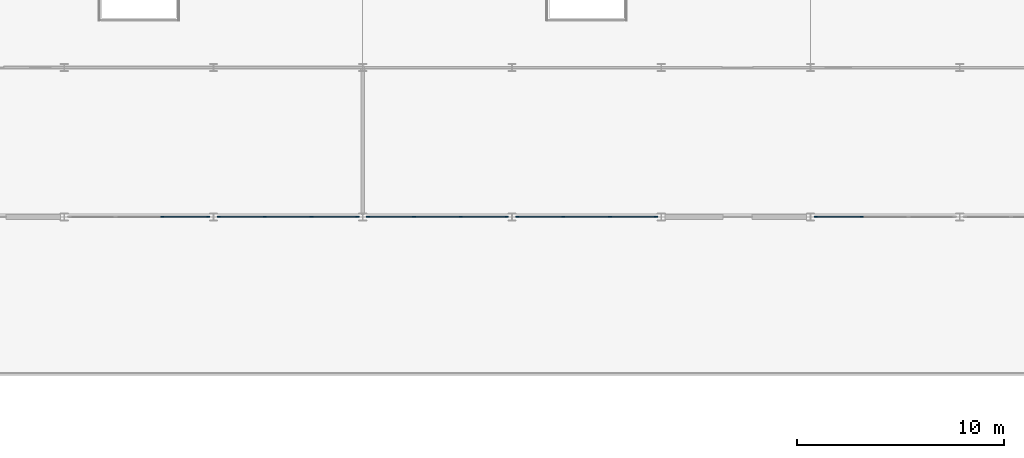
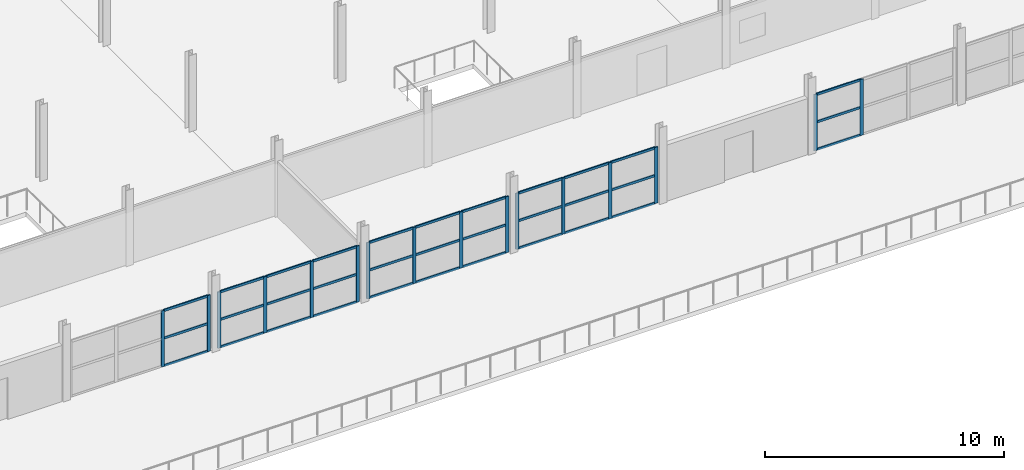
# One storey, part 15 of 40: 49 members, 5 elements without a shape of their own.
"""IFC4 building model written with IfcOpenShell, lengths in metres."""

from ifc_helpers import new_model, si_unit, direction, frame, origin, origin_2d, place, context, subcontext, project, spatial, rectangle, extrude, material, material_profile, profile_set, type_object, element, aggregate, save


model = new_model("IFC4")

# Units and contexts
model_context = context("Model", 3, precision=1e-05, world=origin(), true_north=direction((0.0, 1.0)))
body_context = subcontext(model_context, "Body", "Model", "MODEL_VIEW")
ifc_project = project(units=[si_unit("LENGTHUNIT", "METRE"), si_unit("AREAUNIT", "SQUARE_METRE"), si_unit("VOLUMEUNIT", "CUBIC_METRE"), si_unit("PLANEANGLEUNIT", "RADIAN"), si_unit("MASSUNIT", "GRAM", prefix="KILO")], contexts=[model_context])

# Site, building, storey
site_placement = place(None, origin())
site = spatial("IfcSite", under=ifc_project, at=site_placement, CompositionType="ELEMENT")
building_placement = place(site_placement, origin())
building = spatial("IfcBuilding", under=site, at=building_placement, Name="Vaelcorin Mobility Hub", CompositionType="ELEMENT")
storey_placement = place(building_placement, frame((0.0, 0.0, 17.10009765625)))
storey = spatial("IfcBuildingStorey", under=building, at=storey_placement, Name="L04", CompositionType="ELEMENT", Elevation=17.10009765625)

# Curtain wall, members
ifc_material = material(Name="Anodised aluminium 6063-T6", Category="aluminium")
curtain_wall_type = type_object("IfcCurtainWallType", Name="CW-MOB-A", PredefinedType="NOTDEFINED", material=ifc_material)
curtain_wall_1_placement = place(storey_placement, origin())
curtain_wall_1 = element("IfcCurtainWall", 1, at=curtain_wall_1_placement, inside=storey, type_object=curtain_wall_type, Name="L04 Curtain Wall CW-V4-L04-S-05", PredefinedType="NOTDEFINED")
ifc_material_profile_1 = material_profile(ifc_material, rectangle(XDim=0.06005859375, YDim=0.159912109375, at=origin_2d()), Name="ALU-M60X160")
ifc_profile_set_1 = profile_set([ifc_material_profile_1], Name="Anodised aluminium 6063-T6")
member_type_1 = type_object("IfcMemberType", Name="CW-MULL-160", PredefinedType="MULLION", material=ifc_profile_set_1)
member_1_placement = place(storey_placement, frame((71.75, 84.0, 0.0), z_axis=(0.0, 0.0, 1.0), x_axis=(0.0, -1.0, 0.0)))
member_1 = element("IfcMember", 2, at=member_1_placement, type_object=member_type_1, Name="CW7 mullion 1", PredefinedType="MULLION", context=body_context, shape_type="SweptSolid", body=[
    extrude(rectangle(XDim=0.06005859375, YDim=0.159912109375, at=origin_2d()), origin(), (0.0, 0.0, 1.0), 2.867919921875),
])
member_2_placement = place(storey_placement, frame((69.526611328125, 84.0, 0.0), z_axis=(0.0, 0.0, 1.0), x_axis=(0.0, -1.0, 0.0)))
member_2 = element("IfcMember", 3, at=member_2_placement, type_object=member_type_1, Name="CW7 mullion 2", PredefinedType="MULLION", context=body_context, shape_type="SweptSolid", body=[
    extrude(rectangle(XDim=0.06005859375, YDim=0.159912109375, at=origin_2d()), origin(), (0.0, 0.0, 1.0), 2.867919921875),
])

curtain_wall_2_placement = place(storey_placement, origin())
curtain_wall_2 = element("IfcCurtainWall", 4, at=curtain_wall_2_placement, inside=storey, type_object=curtain_wall_type, Name="L04 Curtain Wall CW-V4-L04-S-06", PredefinedType="NOTDEFINED")
member_3_placement = place(storey_placement, frame((78.949951171875, 84.0, 0.0), z_axis=(0.0, 0.0, 1.0), x_axis=(0.0, -1.0, 0.0)))
member_3 = element("IfcMember", 5, at=member_3_placement, type_object=member_type_1, Name="CW7 mullion 1", PredefinedType="MULLION", context=body_context, shape_type="SweptSolid", body=[
    extrude(rectangle(XDim=0.06005859375, YDim=0.159912109375, at=origin_2d()), origin(), (0.0, 0.0, 1.0), 2.867919921875),
])
member_4_placement = place(storey_placement, frame((76.7265625, 84.0, 0.0), z_axis=(0.0, 0.0, 1.0), x_axis=(0.0, -1.0, 0.0)))
member_4 = element("IfcMember", 6, at=member_4_placement, type_object=member_type_1, Name="CW7 mullion 2", PredefinedType="MULLION", context=body_context, shape_type="SweptSolid", body=[
    extrude(rectangle(XDim=0.06005859375, YDim=0.159912109375, at=origin_2d()), origin(), (0.0, 0.0, 1.0), 2.867919921875),
])
member_5_placement = place(storey_placement, frame((74.473388671875, 84.0, 0.0), z_axis=(0.0, 0.0, 1.0), x_axis=(0.0, -1.0, 0.0)))
member_5 = element("IfcMember", 7, at=member_5_placement, type_object=member_type_1, Name="CW7 mullion 3", PredefinedType="MULLION", context=body_context, shape_type="SweptSolid", body=[
    extrude(rectangle(XDim=0.06005859375, YDim=0.159912109375, at=origin_2d()), origin(), (0.0, 0.0, 1.0), 2.867919921875),
])
member_6_placement = place(storey_placement, frame((72.25, 84.0, 0.0), z_axis=(0.0, 0.0, 1.0), x_axis=(0.0, -1.0, 0.0)))
member_6 = element("IfcMember", 8, at=member_6_placement, type_object=member_type_1, Name="CW7 mullion 4", PredefinedType="MULLION", context=body_context, shape_type="SweptSolid", body=[
    extrude(rectangle(XDim=0.06005859375, YDim=0.159912109375, at=origin_2d()), origin(), (0.0, 0.0, 1.0), 2.867919921875),
])

curtain_wall_3_placement = place(storey_placement, origin())
curtain_wall_3 = element("IfcCurtainWall", 9, at=curtain_wall_3_placement, inside=storey, type_object=curtain_wall_type, Name="L04 Curtain Wall CW-V4-L04-S-07", PredefinedType="NOTDEFINED")
member_7_placement = place(storey_placement, frame((86.14990234375, 84.0, 0.0), z_axis=(0.0, 0.0, 1.0), x_axis=(0.0, -1.0, 0.0)))
member_7 = element("IfcMember", 10, at=member_7_placement, type_object=member_type_1, Name="CW7 mullion 1", PredefinedType="MULLION", context=body_context, shape_type="SweptSolid", body=[
    extrude(rectangle(XDim=0.06005859375, YDim=0.159912109375, at=origin_2d()), origin(), (0.0, 0.0, 1.0), 2.867919921875),
])
member_8_placement = place(storey_placement, frame((83.9267578125, 84.0, 0.0), z_axis=(0.0, 0.0, 1.0), x_axis=(0.0, -1.0, 0.0)))
member_8 = element("IfcMember", 11, at=member_8_placement, type_object=member_type_1, Name="CW7 mullion 2", PredefinedType="MULLION", context=body_context, shape_type="SweptSolid", body=[
    extrude(rectangle(XDim=0.06005859375, YDim=0.159912109375, at=origin_2d()), origin(), (0.0, 0.0, 1.0), 2.867919921875),
])
member_9_placement = place(storey_placement, frame((81.67333984375, 84.0, 0.0), z_axis=(0.0, 0.0, 1.0), x_axis=(0.0, -1.0, 0.0)))
member_9 = element("IfcMember", 12, at=member_9_placement, type_object=member_type_1, Name="CW7 mullion 3", PredefinedType="MULLION", context=body_context, shape_type="SweptSolid", body=[
    extrude(rectangle(XDim=0.06005859375, YDim=0.159912109375, at=origin_2d()), origin(), (0.0, 0.0, 1.0), 2.867919921875),
])
member_10_placement = place(storey_placement, frame((79.449951171875, 84.0, 0.0), z_axis=(0.0, 0.0, 1.0), x_axis=(0.0, -1.0, 0.0)))
member_10 = element("IfcMember", 13, at=member_10_placement, type_object=member_type_1, Name="CW7 mullion 4", PredefinedType="MULLION", context=body_context, shape_type="SweptSolid", body=[
    extrude(rectangle(XDim=0.06005859375, YDim=0.159912109375, at=origin_2d()), origin(), (0.0, 0.0, 1.0), 2.867919921875),
])

curtain_wall_4_placement = place(storey_placement, origin())
curtain_wall_4 = element("IfcCurtainWall", 14, at=curtain_wall_4_placement, inside=storey, type_object=curtain_wall_type, Name="L04 Curtain Wall CW-V4-L04-S-08", PredefinedType="NOTDEFINED")
member_11_placement = place(storey_placement, frame((93.35009765625, 84.0, 0.0), z_axis=(0.0, 0.0, 1.0), x_axis=(0.0, -1.0, 0.0)))
member_11 = element("IfcMember", 15, at=member_11_placement, type_object=member_type_1, Name="CW7 mullion 1", PredefinedType="MULLION", context=body_context, shape_type="SweptSolid", body=[
    extrude(rectangle(XDim=0.06005859375, YDim=0.159912109375, at=origin_2d()), origin(), (0.0, 0.0, 1.0), 2.867919921875),
])
member_12_placement = place(storey_placement, frame((91.126708984375, 84.0, 0.0), z_axis=(0.0, 0.0, 1.0), x_axis=(0.0, -1.0, 0.0)))
member_12 = element("IfcMember", 16, at=member_12_placement, type_object=member_type_1, Name="CW7 mullion 2", PredefinedType="MULLION", context=body_context, shape_type="SweptSolid", body=[
    extrude(rectangle(XDim=0.06005859375, YDim=0.159912109375, at=origin_2d()), origin(), (0.0, 0.0, 1.0), 2.867919921875),
])
member_13_placement = place(storey_placement, frame((88.873291015625, 84.0, 0.0), z_axis=(0.0, 0.0, 1.0), x_axis=(0.0, -1.0, 0.0)))
member_13 = element("IfcMember", 17, at=member_13_placement, type_object=member_type_1, Name="CW7 mullion 3", PredefinedType="MULLION", context=body_context, shape_type="SweptSolid", body=[
    extrude(rectangle(XDim=0.06005859375, YDim=0.159912109375, at=origin_2d()), origin(), (0.0, 0.0, 1.0), 2.867919921875),
])
member_14_placement = place(storey_placement, frame((86.64990234375, 84.0, 0.0), z_axis=(0.0, 0.0, 1.0), x_axis=(0.0, -1.0, 0.0)))
member_14 = element("IfcMember", 18, at=member_14_placement, type_object=member_type_1, Name="CW7 mullion 4", PredefinedType="MULLION", context=body_context, shape_type="SweptSolid", body=[
    extrude(rectangle(XDim=0.06005859375, YDim=0.159912109375, at=origin_2d()), origin(), (0.0, 0.0, 1.0), 2.867919921875),
])

curtain_wall_5_placement = place(storey_placement, origin())
curtain_wall_5 = element("IfcCurtainWall", 19, at=curtain_wall_5_placement, inside=storey, type_object=curtain_wall_type, Name="L04 Curtain Wall CW-V4-L04-S-10", PredefinedType="NOTDEFINED")
member_15_placement = place(storey_placement, frame((103.2734375, 84.0, 0.0), z_axis=(0.0, 0.0, 1.0), x_axis=(0.0, -1.0, 0.0)))
member_15 = element("IfcMember", 20, at=member_15_placement, type_object=member_type_1, Name="CW7 mullion 3", PredefinedType="MULLION", context=body_context, shape_type="SweptSolid", body=[
    extrude(rectangle(XDim=0.06005859375, YDim=0.159912109375, at=origin_2d()), origin(), (0.0, 0.0, 1.0), 2.867919921875),
])
member_16_placement = place(storey_placement, frame((101.050048828125, 84.0, 0.0), z_axis=(0.0, 0.0, 1.0), x_axis=(0.0, -1.0, 0.0)))
member_16 = element("IfcMember", 21, at=member_16_placement, type_object=member_type_1, Name="CW7 mullion 4", PredefinedType="MULLION", context=body_context, shape_type="SweptSolid", body=[
    extrude(rectangle(XDim=0.06005859375, YDim=0.159912109375, at=origin_2d()), origin(), (0.0, 0.0, 1.0), 2.867919921875),
])

# Member
ifc_material_profile_2 = material_profile(ifc_material, rectangle(XDim=0.06005859375, YDim=0.1201171875, at=origin_2d()), Name="ALU-T60X120")
ifc_profile_set_2 = profile_set([ifc_material_profile_2], Name="Anodised aluminium 6063-T6")
member_type_2 = type_object("IfcMemberType", Name="CW-TRAN-140", PredefinedType="USERDEFINED", material=ifc_profile_set_2)
member_17_placement = place(storey_placement, frame((71.719970703125, 84.0, 0.02978515625), z_axis=(-1.0, 0.0, 0.0), x_axis=(0.0, -1.0, 0.0)))
member_17 = element("IfcMember", 22, at=member_17_placement, type_object=member_type_2, Name="CW7 transom 1.1", ObjectType="TRANSOM", PredefinedType="USERDEFINED", context=body_context, shape_type="SweptSolid", body=[
    extrude(rectangle(XDim=0.06005859375, YDim=0.1201171875, at=origin_2d()), origin(), (0.0, 0.0, 1.0), 2.163330078125),
])

member_18_placement = place(storey_placement, frame((71.719970703125, 84.0, 1.433837890625), z_axis=(-1.0, 0.0, 0.0), x_axis=(0.0, -1.0, 0.0)))
member_18 = element("IfcMember", 23, at=member_18_placement, type_object=member_type_2, Name="CW7 transom 1.2", ObjectType="TRANSOM", PredefinedType="USERDEFINED", context=body_context, shape_type="SweptSolid", body=[
    extrude(rectangle(XDim=0.06005859375, YDim=0.1201171875, at=origin_2d()), origin(), (0.0, 0.0, 1.0), 2.163330078125),
])

member_19_placement = place(storey_placement, frame((71.719970703125, 84.0, 2.837890625), z_axis=(-1.0, 0.0, 0.0), x_axis=(0.0, -1.0, 0.0)))
member_19 = element("IfcMember", 24, at=member_19_placement, type_object=member_type_2, Name="CW7 transom 1.3", ObjectType="TRANSOM", PredefinedType="USERDEFINED", context=body_context, shape_type="SweptSolid", body=[
    extrude(rectangle(XDim=0.06005859375, YDim=0.1201171875, at=origin_2d()), origin(), (0.0, 0.0, 1.0), 2.163330078125),
])

aggregate(curtain_wall_1, [member_1, member_2, member_17, member_18, member_19])

member_20_placement = place(storey_placement, frame((78.919921875, 84.0, 0.02978515625), z_axis=(-1.0, 0.0, 0.0), x_axis=(0.0, -1.0, 0.0)))
member_20 = element("IfcMember", 25, at=member_20_placement, type_object=member_type_2, Name="CW7 transom 1.1", ObjectType="TRANSOM", PredefinedType="USERDEFINED", context=body_context, shape_type="SweptSolid", body=[
    extrude(rectangle(XDim=0.06005859375, YDim=0.1201171875, at=origin_2d()), origin(), (0.0, 0.0, 1.0), 2.163330078125),
])

member_21_placement = place(storey_placement, frame((78.919921875, 84.0, 1.433837890625), z_axis=(-1.0, 0.0, 0.0), x_axis=(0.0, -1.0, 0.0)))
member_21 = element("IfcMember", 26, at=member_21_placement, type_object=member_type_2, Name="CW7 transom 1.2", ObjectType="TRANSOM", PredefinedType="USERDEFINED", context=body_context, shape_type="SweptSolid", body=[
    extrude(rectangle(XDim=0.06005859375, YDim=0.1201171875, at=origin_2d()), origin(), (0.0, 0.0, 1.0), 2.163330078125),
])

member_22_placement = place(storey_placement, frame((78.919921875, 84.0, 2.837890625), z_axis=(-1.0, 0.0, 0.0), x_axis=(0.0, -1.0, 0.0)))
member_22 = element("IfcMember", 27, at=member_22_placement, type_object=member_type_2, Name="CW7 transom 1.3", ObjectType="TRANSOM", PredefinedType="USERDEFINED", context=body_context, shape_type="SweptSolid", body=[
    extrude(rectangle(XDim=0.06005859375, YDim=0.1201171875, at=origin_2d()), origin(), (0.0, 0.0, 1.0), 2.163330078125),
])

member_23_placement = place(storey_placement, frame((76.69677734375, 84.0, 0.02978515625), z_axis=(-1.0, 0.0, 0.0), x_axis=(0.0, -1.0, 0.0)))
member_23 = element("IfcMember", 28, at=member_23_placement, type_object=member_type_2, Name="CW7 transom 2.1", ObjectType="TRANSOM", PredefinedType="USERDEFINED", context=body_context, shape_type="SweptSolid", body=[
    extrude(rectangle(XDim=0.06005859375, YDim=0.1201171875, at=origin_2d()), origin(), (0.0, 0.0, 1.0), 2.193359375),
])

member_24_placement = place(storey_placement, frame((76.69677734375, 84.0, 1.433837890625), z_axis=(-1.0, 0.0, 0.0), x_axis=(0.0, -1.0, 0.0)))
member_24 = element("IfcMember", 29, at=member_24_placement, type_object=member_type_2, Name="CW7 transom 2.2", ObjectType="TRANSOM", PredefinedType="USERDEFINED", context=body_context, shape_type="SweptSolid", body=[
    extrude(rectangle(XDim=0.06005859375, YDim=0.1201171875, at=origin_2d()), origin(), (0.0, 0.0, 1.0), 2.193359375),
])

member_25_placement = place(storey_placement, frame((76.69677734375, 84.0, 2.837890625), z_axis=(-1.0, 0.0, 0.0), x_axis=(0.0, -1.0, 0.0)))
member_25 = element("IfcMember", 30, at=member_25_placement, type_object=member_type_2, Name="CW7 transom 2.3", ObjectType="TRANSOM", PredefinedType="USERDEFINED", context=body_context, shape_type="SweptSolid", body=[
    extrude(rectangle(XDim=0.06005859375, YDim=0.1201171875, at=origin_2d()), origin(), (0.0, 0.0, 1.0), 2.193359375),
])

member_26_placement = place(storey_placement, frame((74.443359375, 84.0, 0.02978515625), z_axis=(-1.0, 0.0, 0.0), x_axis=(0.0, -1.0, 0.0)))
member_26 = element("IfcMember", 31, at=member_26_placement, type_object=member_type_2, Name="CW7 transom 3.1", ObjectType="TRANSOM", PredefinedType="USERDEFINED", context=body_context, shape_type="SweptSolid", body=[
    extrude(rectangle(XDim=0.06005859375, YDim=0.1201171875, at=origin_2d()), origin(), (0.0, 0.0, 1.0), 2.163330078125),
])

member_27_placement = place(storey_placement, frame((74.443359375, 84.0, 1.433837890625), z_axis=(-1.0, 0.0, 0.0), x_axis=(0.0, -1.0, 0.0)))
member_27 = element("IfcMember", 32, at=member_27_placement, type_object=member_type_2, Name="CW7 transom 3.2", ObjectType="TRANSOM", PredefinedType="USERDEFINED", context=body_context, shape_type="SweptSolid", body=[
    extrude(rectangle(XDim=0.06005859375, YDim=0.1201171875, at=origin_2d()), origin(), (0.0, 0.0, 1.0), 2.163330078125),
])

member_28_placement = place(storey_placement, frame((74.443359375, 84.0, 2.837890625), z_axis=(-1.0, 0.0, 0.0), x_axis=(0.0, -1.0, 0.0)))
member_28 = element("IfcMember", 33, at=member_28_placement, type_object=member_type_2, Name="CW7 transom 3.3", ObjectType="TRANSOM", PredefinedType="USERDEFINED", context=body_context, shape_type="SweptSolid", body=[
    extrude(rectangle(XDim=0.06005859375, YDim=0.1201171875, at=origin_2d()), origin(), (0.0, 0.0, 1.0), 2.163330078125),
])

aggregate(curtain_wall_2, [member_3, member_4, member_5, member_6, member_20, member_21, member_22, member_23, member_24, member_25, member_26, member_27, member_28])

member_29_placement = place(storey_placement, frame((86.1201171875, 84.0, 0.02978515625), z_axis=(-1.0, 0.0, 0.0), x_axis=(0.0, -1.0, 0.0)))
member_29 = element("IfcMember", 34, at=member_29_placement, type_object=member_type_2, Name="CW7 transom 1.1", ObjectType="TRANSOM", PredefinedType="USERDEFINED", context=body_context, shape_type="SweptSolid", body=[
    extrude(rectangle(XDim=0.06005859375, YDim=0.1201171875, at=origin_2d()), origin(), (0.0, 0.0, 1.0), 2.163330078125),
])

member_30_placement = place(storey_placement, frame((86.1201171875, 84.0, 1.433837890625), z_axis=(-1.0, 0.0, 0.0), x_axis=(0.0, -1.0, 0.0)))
member_30 = element("IfcMember", 35, at=member_30_placement, type_object=member_type_2, Name="CW7 transom 1.2", ObjectType="TRANSOM", PredefinedType="USERDEFINED", context=body_context, shape_type="SweptSolid", body=[
    extrude(rectangle(XDim=0.06005859375, YDim=0.1201171875, at=origin_2d()), origin(), (0.0, 0.0, 1.0), 2.163330078125),
])

member_31_placement = place(storey_placement, frame((86.1201171875, 84.0, 2.837890625), z_axis=(-1.0, 0.0, 0.0), x_axis=(0.0, -1.0, 0.0)))
member_31 = element("IfcMember", 36, at=member_31_placement, type_object=member_type_2, Name="CW7 transom 1.3", ObjectType="TRANSOM", PredefinedType="USERDEFINED", context=body_context, shape_type="SweptSolid", body=[
    extrude(rectangle(XDim=0.06005859375, YDim=0.1201171875, at=origin_2d()), origin(), (0.0, 0.0, 1.0), 2.163330078125),
])

member_32_placement = place(storey_placement, frame((83.896728515625, 84.0, 0.02978515625), z_axis=(-1.0, 0.0, 0.0), x_axis=(0.0, -1.0, 0.0)))
member_32 = element("IfcMember", 37, at=member_32_placement, type_object=member_type_2, Name="CW7 transom 2.1", ObjectType="TRANSOM", PredefinedType="USERDEFINED", context=body_context, shape_type="SweptSolid", body=[
    extrude(rectangle(XDim=0.06005859375, YDim=0.1201171875, at=origin_2d()), origin(), (0.0, 0.0, 1.0), 2.193359375),
])

member_33_placement = place(storey_placement, frame((83.896728515625, 84.0, 1.433837890625), z_axis=(-1.0, 0.0, 0.0), x_axis=(0.0, -1.0, 0.0)))
member_33 = element("IfcMember", 38, at=member_33_placement, type_object=member_type_2, Name="CW7 transom 2.2", ObjectType="TRANSOM", PredefinedType="USERDEFINED", context=body_context, shape_type="SweptSolid", body=[
    extrude(rectangle(XDim=0.06005859375, YDim=0.1201171875, at=origin_2d()), origin(), (0.0, 0.0, 1.0), 2.193359375),
])

member_34_placement = place(storey_placement, frame((83.896728515625, 84.0, 2.837890625), z_axis=(-1.0, 0.0, 0.0), x_axis=(0.0, -1.0, 0.0)))
member_34 = element("IfcMember", 39, at=member_34_placement, type_object=member_type_2, Name="CW7 transom 2.3", ObjectType="TRANSOM", PredefinedType="USERDEFINED", context=body_context, shape_type="SweptSolid", body=[
    extrude(rectangle(XDim=0.06005859375, YDim=0.1201171875, at=origin_2d()), origin(), (0.0, 0.0, 1.0), 2.193359375),
])

member_35_placement = place(storey_placement, frame((81.643310546875, 84.0, 0.02978515625), z_axis=(-1.0, 0.0, 0.0), x_axis=(0.0, -1.0, 0.0)))
member_35 = element("IfcMember", 40, at=member_35_placement, type_object=member_type_2, Name="CW7 transom 3.1", ObjectType="TRANSOM", PredefinedType="USERDEFINED", context=body_context, shape_type="SweptSolid", body=[
    extrude(rectangle(XDim=0.06005859375, YDim=0.1201171875, at=origin_2d()), origin(), (0.0, 0.0, 1.0), 2.163330078125),
])

member_36_placement = place(storey_placement, frame((81.643310546875, 84.0, 1.433837890625), z_axis=(-1.0, 0.0, 0.0), x_axis=(0.0, -1.0, 0.0)))
member_36 = element("IfcMember", 41, at=member_36_placement, type_object=member_type_2, Name="CW7 transom 3.2", ObjectType="TRANSOM", PredefinedType="USERDEFINED", context=body_context, shape_type="SweptSolid", body=[
    extrude(rectangle(XDim=0.06005859375, YDim=0.1201171875, at=origin_2d()), origin(), (0.0, 0.0, 1.0), 2.163330078125),
])

member_37_placement = place(storey_placement, frame((81.643310546875, 84.0, 2.837890625), z_axis=(-1.0, 0.0, 0.0), x_axis=(0.0, -1.0, 0.0)))
member_37 = element("IfcMember", 42, at=member_37_placement, type_object=member_type_2, Name="CW7 transom 3.3", ObjectType="TRANSOM", PredefinedType="USERDEFINED", context=body_context, shape_type="SweptSolid", body=[
    extrude(rectangle(XDim=0.06005859375, YDim=0.1201171875, at=origin_2d()), origin(), (0.0, 0.0, 1.0), 2.163330078125),
])

aggregate(curtain_wall_3, [member_7, member_8, member_9, member_10, member_29, member_30, member_31, member_32, member_33, member_34, member_35, member_36, member_37])

member_38_placement = place(storey_placement, frame((93.320068359375, 84.0, 0.02978515625), z_axis=(-1.0, 0.0, 0.0), x_axis=(0.0, -1.0, 0.0)))
member_38 = element("IfcMember", 43, at=member_38_placement, type_object=member_type_2, Name="CW7 transom 1.1", ObjectType="TRANSOM", PredefinedType="USERDEFINED", context=body_context, shape_type="SweptSolid", body=[
    extrude(rectangle(XDim=0.06005859375, YDim=0.1201171875, at=origin_2d()), origin(), (0.0, 0.0, 1.0), 2.163330078125),
])

member_39_placement = place(storey_placement, frame((93.320068359375, 84.0, 1.433837890625), z_axis=(-1.0, 0.0, 0.0), x_axis=(0.0, -1.0, 0.0)))
member_39 = element("IfcMember", 44, at=member_39_placement, type_object=member_type_2, Name="CW7 transom 1.2", ObjectType="TRANSOM", PredefinedType="USERDEFINED", context=body_context, shape_type="SweptSolid", body=[
    extrude(rectangle(XDim=0.06005859375, YDim=0.1201171875, at=origin_2d()), origin(), (0.0, 0.0, 1.0), 2.163330078125),
])

member_40_placement = place(storey_placement, frame((93.320068359375, 84.0, 2.837890625), z_axis=(-1.0, 0.0, 0.0), x_axis=(0.0, -1.0, 0.0)))
member_40 = element("IfcMember", 45, at=member_40_placement, type_object=member_type_2, Name="CW7 transom 1.3", ObjectType="TRANSOM", PredefinedType="USERDEFINED", context=body_context, shape_type="SweptSolid", body=[
    extrude(rectangle(XDim=0.06005859375, YDim=0.1201171875, at=origin_2d()), origin(), (0.0, 0.0, 1.0), 2.163330078125),
])

member_41_placement = place(storey_placement, frame((91.0966796875, 84.0, 0.02978515625), z_axis=(-1.0, 0.0, 0.0), x_axis=(0.0, -1.0, 0.0)))
member_41 = element("IfcMember", 46, at=member_41_placement, type_object=member_type_2, Name="CW7 transom 2.1", ObjectType="TRANSOM", PredefinedType="USERDEFINED", context=body_context, shape_type="SweptSolid", body=[
    extrude(rectangle(XDim=0.06005859375, YDim=0.1201171875, at=origin_2d()), origin(), (0.0, 0.0, 1.0), 2.193359375),
])

member_42_placement = place(storey_placement, frame((91.0966796875, 84.0, 1.433837890625), z_axis=(-1.0, 0.0, 0.0), x_axis=(0.0, -1.0, 0.0)))
member_42 = element("IfcMember", 47, at=member_42_placement, type_object=member_type_2, Name="CW7 transom 2.2", ObjectType="TRANSOM", PredefinedType="USERDEFINED", context=body_context, shape_type="SweptSolid", body=[
    extrude(rectangle(XDim=0.06005859375, YDim=0.1201171875, at=origin_2d()), origin(), (0.0, 0.0, 1.0), 2.193359375),
])

member_43_placement = place(storey_placement, frame((91.0966796875, 84.0, 2.837890625), z_axis=(-1.0, 0.0, 0.0), x_axis=(0.0, -1.0, 0.0)))
member_43 = element("IfcMember", 48, at=member_43_placement, type_object=member_type_2, Name="CW7 transom 2.3", ObjectType="TRANSOM", PredefinedType="USERDEFINED", context=body_context, shape_type="SweptSolid", body=[
    extrude(rectangle(XDim=0.06005859375, YDim=0.1201171875, at=origin_2d()), origin(), (0.0, 0.0, 1.0), 2.193359375),
])

member_44_placement = place(storey_placement, frame((88.84326171875, 84.0, 0.02978515625), z_axis=(-1.0, 0.0, 0.0), x_axis=(0.0, -1.0, 0.0)))
member_44 = element("IfcMember", 49, at=member_44_placement, type_object=member_type_2, Name="CW7 transom 3.1", ObjectType="TRANSOM", PredefinedType="USERDEFINED", context=body_context, shape_type="SweptSolid", body=[
    extrude(rectangle(XDim=0.06005859375, YDim=0.1201171875, at=origin_2d()), origin(), (0.0, 0.0, 1.0), 2.163330078125),
])

member_45_placement = place(storey_placement, frame((88.84326171875, 84.0, 1.433837890625), z_axis=(-1.0, 0.0, 0.0), x_axis=(0.0, -1.0, 0.0)))
member_45 = element("IfcMember", 50, at=member_45_placement, type_object=member_type_2, Name="CW7 transom 3.2", ObjectType="TRANSOM", PredefinedType="USERDEFINED", context=body_context, shape_type="SweptSolid", body=[
    extrude(rectangle(XDim=0.06005859375, YDim=0.1201171875, at=origin_2d()), origin(), (0.0, 0.0, 1.0), 2.163330078125),
])

member_46_placement = place(storey_placement, frame((88.84326171875, 84.0, 2.837890625), z_axis=(-1.0, 0.0, 0.0), x_axis=(0.0, -1.0, 0.0)))
member_46 = element("IfcMember", 51, at=member_46_placement, type_object=member_type_2, Name="CW7 transom 3.3", ObjectType="TRANSOM", PredefinedType="USERDEFINED", context=body_context, shape_type="SweptSolid", body=[
    extrude(rectangle(XDim=0.06005859375, YDim=0.1201171875, at=origin_2d()), origin(), (0.0, 0.0, 1.0), 2.163330078125),
])

aggregate(curtain_wall_4, [member_11, member_12, member_13, member_14, member_38, member_39, member_40, member_41, member_42, member_43, member_44, member_45, member_46])

member_47_placement = place(storey_placement, frame((103.243408203125, 84.0, 0.02978515625), z_axis=(-1.0, 0.0, 0.0), x_axis=(0.0, -1.0, 0.0)))
member_47 = element("IfcMember", 52, at=member_47_placement, type_object=member_type_2, Name="CW7 transom 3.1", ObjectType="TRANSOM", PredefinedType="USERDEFINED", context=body_context, shape_type="SweptSolid", body=[
    extrude(rectangle(XDim=0.06005859375, YDim=0.1201171875, at=origin_2d()), origin(), (0.0, 0.0, 1.0), 2.163330078125),
])

member_48_placement = place(storey_placement, frame((103.243408203125, 84.0, 1.433837890625), z_axis=(-1.0, 0.0, 0.0), x_axis=(0.0, -1.0, 0.0)))
member_48 = element("IfcMember", 53, at=member_48_placement, type_object=member_type_2, Name="CW7 transom 3.2", ObjectType="TRANSOM", PredefinedType="USERDEFINED", context=body_context, shape_type="SweptSolid", body=[
    extrude(rectangle(XDim=0.06005859375, YDim=0.1201171875, at=origin_2d()), origin(), (0.0, 0.0, 1.0), 2.163330078125),
])

member_49_placement = place(storey_placement, frame((103.243408203125, 84.0, 2.837890625), z_axis=(-1.0, 0.0, 0.0), x_axis=(0.0, -1.0, 0.0)))
member_49 = element("IfcMember", 54, at=member_49_placement, type_object=member_type_2, Name="CW7 transom 3.3", ObjectType="TRANSOM", PredefinedType="USERDEFINED", context=body_context, shape_type="SweptSolid", body=[
    extrude(rectangle(XDim=0.06005859375, YDim=0.1201171875, at=origin_2d()), origin(), (0.0, 0.0, 1.0), 2.163330078125),
])

aggregate(curtain_wall_5, [member_15, member_16, member_47, member_48, member_49])

save(model, "model.ifc")
